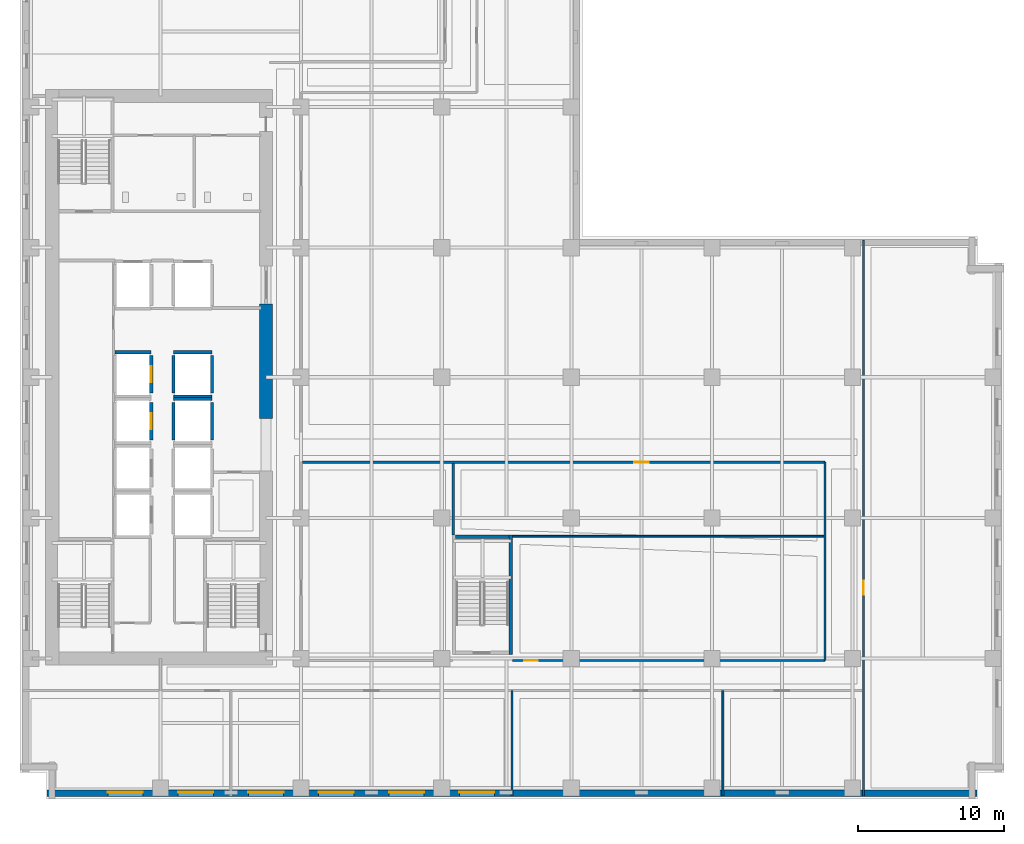
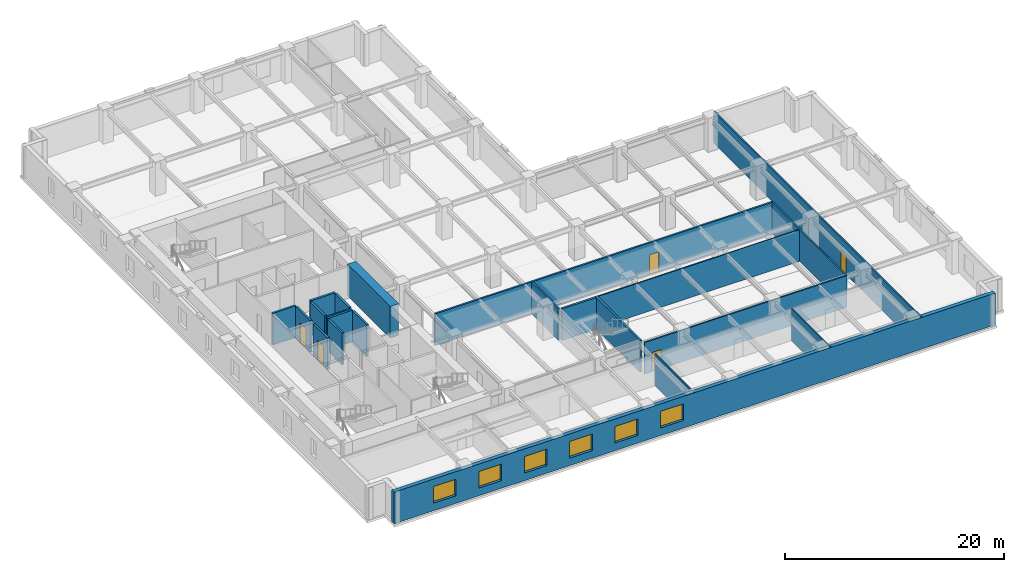
# One storey, part 5 of 13: 22 walls, 6 windows, 5 doors, 11 openings.
"""IFC4 building model written with IfcOpenShell, lengths in metres."""

from ifc_helpers import new_model, si_unit, direction, frame, frame_2d, origin, place, context, subcontext, project, spatial, rectangle, extrude, material, layer, layer_set, type_object, element, fill, save


model = new_model("IFC4")

# Units and contexts
model_context = context("Model", 3, precision=1e-05, world=origin(), true_north=direction((0.0, 1.0)))
body_context = subcontext(model_context, "Body", "Model", "MODEL_VIEW")
ifc_project = project(units=[si_unit("LENGTHUNIT", "METRE"), si_unit("AREAUNIT", "SQUARE_METRE"), si_unit("VOLUMEUNIT", "CUBIC_METRE"), si_unit("PLANEANGLEUNIT", "RADIAN"), si_unit("MASSUNIT", "GRAM", prefix="KILO")], contexts=[model_context])

# Site, building, storey
site_placement = place(None, origin())
site = spatial("IfcSite", under=ifc_project, at=site_placement, CompositionType="ELEMENT")
building_placement = place(site_placement, origin())
building = spatial("IfcBuilding", under=site, at=building_placement, Name="Norrvale University Quadrangle", CompositionType="ELEMENT")
storey_placement = place(building_placement, frame((0.0, 0.0, 77.39990234375)))
storey = spatial("IfcBuildingStorey", under=building, at=storey_placement, Name="L19", CompositionType="ELEMENT", Elevation=77.39990234375)

# Wall, openings, windows
ifc_material_1 = material(Name="Buff Norman Clay Brick Masonry", Category="masonry")
ifc_layer_1 = layer(ifc_material_1, 0.419921875, Name="Buff Norman Clay Brick Masonry")
ifc_layer_set_1 = layer_set([ifc_layer_1], Name="Buff Norman Clay Brick Masonry")
wall_type_1 = type_object("IfcWallType", Name="Wall Buff Brick 420", PredefinedType="SOLIDWALL", material=ifc_layer_set_1)
wall_1_placement = place(storey_placement, frame((1.840087890625, 0.389892578125, 0.0), z_axis=(0.0, 0.0, 1.0), x_axis=(1.0, 0.0, 0.0)))
wall_1 = element("IfcWall", 1, at=wall_1_placement, inside=storey, type_object=wall_type_1, Name="Exterior Brick Facade Wall L19-01.1", PredefinedType="SOLIDWALL", context=body_context, shape_type="SweptSolid", body=[
    extrude(rectangle(XDim=63.52001953125, YDim=0.419921875, at=frame_2d((31.760009765625, 0.0))), origin(), (0.0, 0.0, 1.0), 3.5400390625),
])
opening_1_placement = place(wall_1_placement, frame((4.159912109375, 0.0, 0.85009765625)))
opening_1 = element("IfcOpeningElement", 2, at=opening_1_placement, cuts=wall_1, Name="Opening W02", PredefinedType="OPENING", context=body_context, shape_type="SweptSolid", body=[
    extrude(rectangle(XDim=2.39990234375, YDim=1.85009765625, at=frame_2d((1.199951171875, 0.925048828125))), frame((0.0, 0.221923828125, 0.0), z_axis=(0.0, -1.0, 0.0), x_axis=(1.0, 0.0, 0.0)), (0.0, 0.0, 1.0), 0.44384765625),
])
opening_2_placement = place(wall_1_placement, frame((8.9599609375, 0.0, 0.85009765625)))
opening_2 = element("IfcOpeningElement", 3, at=opening_2_placement, cuts=wall_1, Name="Opening W02", PredefinedType="OPENING", context=body_context, shape_type="SweptSolid", body=[
    extrude(rectangle(XDim=2.39990234375, YDim=1.85009765625, at=frame_2d((1.199951171875, 0.925048828125))), frame((0.0, 0.221923828125, 0.0), z_axis=(0.0, -1.0, 0.0), x_axis=(1.0, 0.0, 0.0)), (0.0, 0.0, 1.0), 0.44384765625),
])
opening_3_placement = place(wall_1_placement, frame((13.760009765625, 0.0, 0.85009765625)))
opening_3 = element("IfcOpeningElement", 4, at=opening_3_placement, cuts=wall_1, Name="Opening W02", PredefinedType="OPENING", context=body_context, shape_type="SweptSolid", body=[
    extrude(rectangle(XDim=2.39990234375, YDim=1.85009765625, at=frame_2d((1.199951171875, 0.925048828125))), frame((0.0, 0.221923828125, 0.0), z_axis=(0.0, -1.0, 0.0), x_axis=(1.0, 0.0, 0.0)), (0.0, 0.0, 1.0), 0.44384765625),
])
opening_4_placement = place(wall_1_placement, frame((18.56005859375, 0.0, 0.85009765625)))
opening_4 = element("IfcOpeningElement", 5, at=opening_4_placement, cuts=wall_1, Name="Opening W02", PredefinedType="OPENING", context=body_context, shape_type="SweptSolid", body=[
    extrude(rectangle(XDim=2.39990234375, YDim=1.85009765625, at=frame_2d((1.199951171875, 0.925048828125))), frame((0.0, 0.221923828125, 0.0), z_axis=(0.0, -1.0, 0.0), x_axis=(1.0, 0.0, 0.0)), (0.0, 0.0, 1.0), 0.44384765625),
])
opening_5_placement = place(wall_1_placement, frame((23.360107421875, 0.0, 0.85009765625)))
opening_5 = element("IfcOpeningElement", 6, at=opening_5_placement, cuts=wall_1, Name="Opening W02", PredefinedType="OPENING", context=body_context, shape_type="SweptSolid", body=[
    extrude(rectangle(XDim=2.39990234375, YDim=1.85009765625, at=frame_2d((1.199951171875, 0.925048828125))), frame((0.0, 0.221923828125, 0.0), z_axis=(0.0, -1.0, 0.0), x_axis=(1.0, 0.0, 0.0)), (0.0, 0.0, 1.0), 0.44384765625),
])
opening_6_placement = place(wall_1_placement, frame((28.159912109375, 0.0, 0.85009765625)))
opening_6 = element("IfcOpeningElement", 7, at=opening_6_placement, cuts=wall_1, Name="Opening W02", PredefinedType="OPENING", context=body_context, shape_type="SweptSolid", body=[
    extrude(rectangle(XDim=2.39990234375, YDim=1.85009765625, at=frame_2d((1.199951171875, 0.925048828125))), frame((0.0, 0.221923828125, 0.0), z_axis=(0.0, -1.0, 0.0), x_axis=(1.0, 0.0, 0.0)), (0.0, 0.0, 1.0), 0.44384765625),
])
ifc_material_2 = material(Name="Triple Low-E Argon Glazing", Category="glass")
window_type = type_object("IfcWindowType", Name="Window Academic 2400x2300", PartitioningType="TRIPLE_PANEL_VERTICAL", PredefinedType="WINDOW", material=ifc_material_2)
window_1_placement = place(opening_1_placement, origin())
window_1 = element("IfcWindow", 8, at=window_1_placement, inside=storey, type_object=window_type, Name="Window Academic 2400x2300 WIN-L19-E01-1-01", OverallHeight=1.85009765625, OverallWidth=2.39990234375, PartitioningType="TRIPLE_PANEL_VERTICAL", PredefinedType="WINDOW", context=body_context, shape_type="SweptSolid", body=[
    extrude(rectangle(XDim=2.39990234375, YDim=1.85009765625, at=frame_2d((1.199951171875, 0.925048828125))), frame((0.0, 0.110107421875, 0.0), z_axis=(0.0, -1.0, 0.0), x_axis=(1.0, 0.0, 0.0)), (0.0, 0.0, 1.0), 0.06005859375),
])
fill(opening_1, window_1)
window_2_placement = place(opening_2_placement, origin())
window_2 = element("IfcWindow", 9, at=window_2_placement, inside=storey, type_object=window_type, Name="Window Academic 2400x2300 WIN-L19-E01-1-02", OverallHeight=1.85009765625, OverallWidth=2.39990234375, PartitioningType="TRIPLE_PANEL_VERTICAL", PredefinedType="WINDOW", context=body_context, shape_type="SweptSolid", body=[
    extrude(rectangle(XDim=2.39990234375, YDim=1.85009765625, at=frame_2d((1.199951171875, 0.925048828125))), frame((0.0, 0.110107421875, 0.0), z_axis=(0.0, -1.0, 0.0), x_axis=(1.0, 0.0, 0.0)), (0.0, 0.0, 1.0), 0.06005859375),
])
fill(opening_2, window_2)
window_3_placement = place(opening_3_placement, origin())
window_3 = element("IfcWindow", 10, at=window_3_placement, inside=storey, type_object=window_type, Name="Window Academic 2400x2300 WIN-L19-E01-1-03", OverallHeight=1.85009765625, OverallWidth=2.39990234375, PartitioningType="TRIPLE_PANEL_VERTICAL", PredefinedType="WINDOW", context=body_context, shape_type="SweptSolid", body=[
    extrude(rectangle(XDim=2.39990234375, YDim=1.85009765625, at=frame_2d((1.199951171875, 0.925048828125))), frame((0.0, 0.110107421875, 0.0), z_axis=(0.0, -1.0, 0.0), x_axis=(1.0, 0.0, 0.0)), (0.0, 0.0, 1.0), 0.06005859375),
])
fill(opening_3, window_3)
window_4_placement = place(opening_4_placement, origin())
window_4 = element("IfcWindow", 11, at=window_4_placement, inside=storey, type_object=window_type, Name="Window Academic 2400x2300 WIN-L19-E01-1-04", OverallHeight=1.85009765625, OverallWidth=2.39990234375, PartitioningType="TRIPLE_PANEL_VERTICAL", PredefinedType="WINDOW", context=body_context, shape_type="SweptSolid", body=[
    extrude(rectangle(XDim=2.39990234375, YDim=1.85009765625, at=frame_2d((1.199951171875, 0.925048828125))), frame((0.0, 0.110107421875, 0.0), z_axis=(0.0, -1.0, 0.0), x_axis=(1.0, 0.0, 0.0)), (0.0, 0.0, 1.0), 0.06005859375),
])
fill(opening_4, window_4)
window_5_placement = place(opening_5_placement, origin())
window_5 = element("IfcWindow", 12, at=window_5_placement, inside=storey, type_object=window_type, Name="Window Academic 2400x2300 WIN-L19-E01-1-05", OverallHeight=1.85009765625, OverallWidth=2.39990234375, PartitioningType="TRIPLE_PANEL_VERTICAL", PredefinedType="WINDOW", context=body_context, shape_type="SweptSolid", body=[
    extrude(rectangle(XDim=2.39990234375, YDim=1.85009765625, at=frame_2d((1.199951171875, 0.925048828125))), frame((0.0, 0.110107421875, 0.0), z_axis=(0.0, -1.0, 0.0), x_axis=(1.0, 0.0, 0.0)), (0.0, 0.0, 1.0), 0.06005859375),
])
fill(opening_5, window_5)
window_6_placement = place(opening_6_placement, origin())
window_6 = element("IfcWindow", 13, at=window_6_placement, inside=storey, type_object=window_type, Name="Window Academic 2400x2300 WIN-L19-E01-1-06", OverallHeight=1.85009765625, OverallWidth=2.39990234375, PartitioningType="TRIPLE_PANEL_VERTICAL", PredefinedType="WINDOW", context=body_context, shape_type="SweptSolid", body=[
    extrude(rectangle(XDim=2.39990234375, YDim=1.85009765625, at=frame_2d((1.199951171875, 0.925048828125))), frame((0.0, 0.110107421875, 0.0), z_axis=(0.0, -1.0, 0.0), x_axis=(1.0, 0.0, 0.0)), (0.0, 0.0, 1.0), 0.06005859375),
])
fill(opening_6, window_6)

# Walls
ifc_material_3 = material(Name="Concrete C80/95", Category="concrete")
ifc_layer_2 = layer(ifc_material_3, 0.89990234375, Name="Concrete C80/95")
ifc_layer_set_2 = layer_set([ifc_layer_2], Name="Concrete C80/95")
wall_type_2 = type_object("IfcWallType", Name="Wall Core 900", PredefinedType="SHEAR", material=ifc_layer_set_2)
wall_2_placement = place(storey_placement, frame((16.800048828125, 26.0, 0.0), z_axis=(0.0, 0.0, 1.0), x_axis=(0.0, 1.0, 0.0)))
element("IfcWall", 14, at=wall_2_placement, inside=storey, type_object=wall_type_2, Name="Tower Core Shear Wall L19-E2", PredefinedType="SHEAR", context=body_context, shape_type="SweptSolid", body=[
    extrude(rectangle(XDim=7.800048828125, YDim=0.89990234375, at=frame_2d((3.89990234375, 0.0))), origin(), (0.0, 0.0, 1.0), 3.5400390625),
])
ifc_material_4 = material(Name="Standard Academic Gypsum Partition")
ifc_layer_3 = layer(ifc_material_4, 0.125, Name="Standard Academic Gypsum Partition")
ifc_layer_set_3 = layer_set([ifc_layer_3], Name="Standard Academic Gypsum Partition")
wall_type_3 = type_object("IfcWallType", Name="Wall Gypsum Academic 125", PredefinedType="PARTITIONING", material=ifc_layer_set_3)
for number, where, z_axis, x_axis, name in (
    (15, (33.60009765625, 0.219970703125, 0.0), (0.0, 0.0, 1.0), (0.0, 1.0, 0.0), "Interior Partition WL-L19-SP02"),
    (16, (48.0, 0.219970703125, 0.0), (0.0, 0.0, 1.0), (0.0, 1.0, 0.0), "Interior Partition WL-L19-SP03"),
):
    element("IfcWall", number, at=place(storey_placement, frame(where, z_axis=z_axis, x_axis=x_axis)), inside=storey, type_object=wall_type_3, Name=name, PredefinedType="PARTITIONING", context=body_context, shape_type="SweptSolid", body=[
        extrude(rectangle(XDim=7.179931640625, YDim=0.125, at=frame_2d((3.58984375, 0.0))), origin(), (0.0, 0.0, 1.0), 3.5400390625),
    ])
wall_3_placement = place(storey_placement, frame((33.6201171875, 17.93994140625, 0.0), z_axis=(0.0, 0.0, 1.0), x_axis=(1.0, 0.0, 0.0)))
element("IfcWall", 17, at=wall_3_placement, inside=storey, type_object=wall_type_3, Name="Interior Partition WL-L19-ISLH", PredefinedType="PARTITIONING", context=body_context, shape_type="SweptSolid", body=[
    extrude(rectangle(XDim=21.35498046875, YDim=0.125, at=frame_2d((10.677490234375, 0.0))), origin(), (0.0, 0.0, 1.0), 3.5400390625),
])

# Wall, opening, door
ifc_material_5 = material(Name="Fire-Rated Gypsum Stud Partition")
ifc_layer_4 = layer(ifc_material_5, 0.14990234375, Name="Fire-Rated Gypsum Stud Partition")
ifc_layer_set_4 = layer_set([ifc_layer_4], Name="Fire-Rated Gypsum Stud Partition")
wall_type_4 = type_object("IfcWallType", Name="Wall Gypsum Corridor 150", PredefinedType="PARTITIONING", material=ifc_layer_set_4)
wall_4_placement = place(storey_placement, frame((57.60009765625, 0.219970703125, 0.0), z_axis=(0.0, 0.0, 1.0), x_axis=(0.0, 1.0, 0.0)))
wall_4 = element("IfcWall", 18, at=wall_4_placement, inside=storey, type_object=wall_type_4, Name="Interior Partition WL-L19-ECW", PredefinedType="PARTITIONING", context=body_context, shape_type="SweptSolid", body=[
    extrude(rectangle(XDim=37.9599609375, YDim=0.14990234375, at=frame_2d((18.97998046875, 0.0))), origin(), (0.0, 0.0, 1.0), 3.5400390625),
])
opening_7_placement = place(wall_4_placement, frame((13.72998046875, 0.0, 0.0)))
opening_7 = element("IfcOpeningElement", 19, at=opening_7_placement, cuts=wall_4, Name="Opening D07", PredefinedType="OPENING", context=body_context, shape_type="SweptSolid", body=[
    extrude(rectangle(XDim=0.949951171875, YDim=2.14990234375, at=frame_2d((0.47509765625, 1.074951171875))), frame((0.0, 0.0869140625, 0.0), z_axis=(0.0, -1.0, 0.0), x_axis=(1.0, 0.0, 0.0)), (0.0, 0.0, 1.0), 0.173828125),
])
ifc_material_6 = material(Name="Solid-Core Maple Door", Category="wood")
door_type_1 = type_object("IfcDoorType", Name="Door Office 950x2150", OperationType="NOTDEFINED", PredefinedType="DOOR", material=ifc_material_6)
door_1_placement = place(opening_7_placement, origin())
door_1 = element("IfcDoor", 20, at=door_1_placement, inside=storey, type_object=door_type_1, Name="Door Office 950x2150 DR-L19-E01", OperationType="SINGLE_SWING_RIGHT", OverallHeight=2.14990234375, OverallWidth=0.949951171875, PredefinedType="DOOR", context=body_context, shape_type="SweptSolid", body=[
    extrude(rectangle(XDim=0.949951171875, YDim=2.14990234375, at=frame_2d((0.47509765625, 1.074951171875))), frame((0.0, 0.02490234375, 0.0), z_axis=(0.0, -1.0, 0.0), x_axis=(1.0, 0.0, 0.0)), (0.0, 0.0, 1.0), 0.050048828125),
])
fill(opening_7, door_1)

wall_5_placement = place(storey_placement, frame((33.6201171875, 9.449951171875, 0.0), z_axis=(0.0, 0.0, 1.0), x_axis=(1.0, 0.0, 0.0)))
wall_5 = element("IfcWall", 21, at=wall_5_placement, inside=storey, type_object=wall_type_4, Name="Interior Partition WL-L19-ISLS2", PredefinedType="PARTITIONING", context=body_context, shape_type="SweptSolid", body=[
    extrude(rectangle(XDim=21.35498046875, YDim=0.14990234375, at=frame_2d((10.677490234375, 0.0))), origin(), (0.0, 0.0, 1.0), 3.5400390625),
])
opening_8_placement = place(wall_5_placement, frame((0.800048828125, 0.0, 0.0)))
opening_8 = element("IfcOpeningElement", 22, at=opening_8_placement, cuts=wall_5, Name="Opening D07", PredefinedType="OPENING", context=body_context, shape_type="SweptSolid", body=[
    extrude(rectangle(XDim=0.949951171875, YDim=2.14990234375, at=frame_2d((0.47509765625, 1.074951171875))), frame((0.0, 0.0869140625, 0.0), z_axis=(0.0, -1.0, 0.0), x_axis=(1.0, 0.0, 0.0)), (0.0, 0.0, 1.0), 0.173828125),
])
door_2_placement = place(opening_8_placement, origin())
door_2 = element("IfcDoor", 23, at=door_2_placement, inside=storey, type_object=door_type_1, Name="Door Office 950x2150 DR-L19-ISE", OperationType="SINGLE_SWING_LEFT", OverallHeight=2.14990234375, OverallWidth=0.949951171875, PredefinedType="DOOR", context=body_context, shape_type="SweptSolid", body=[
    extrude(rectangle(XDim=0.949951171875, YDim=2.14990234375, at=frame_2d((0.47509765625, 1.074951171875))), frame((0.0, 0.02490234375, 0.0), z_axis=(0.0, -1.0, 0.0), x_axis=(1.0, 0.0, 0.0)), (0.0, 0.0, 1.0), 0.050048828125),
])
fill(opening_8, door_2)

# Walls
wall_6_placement = place(storey_placement, frame((54.97509765625, 9.449951171875, 0.0), z_axis=(0.0, 0.0, 1.0), x_axis=(0.0, 1.0, 0.0)))
element("IfcWall", 24, at=wall_6_placement, inside=storey, type_object=wall_type_4, Name="Interior Partition WL-L19-ISLE", PredefinedType="PARTITIONING", context=body_context, shape_type="SweptSolid", body=[
    extrude(rectangle(XDim=13.550048828125, YDim=0.14990234375, at=frame_2d((6.77490234375, 0.0))), origin(), (0.0, 0.0, 1.0), 3.5400390625),
])
ifc_material_7 = material(Name="Acoustic Double-Stud Gypsum Partition")
ifc_layer_5 = layer(ifc_material_7, 0.179931640625, Name="Acoustic Double-Stud Gypsum Partition")
ifc_layer_set_5 = layer_set([ifc_layer_5], Name="Acoustic Double-Stud Gypsum Partition")
wall_type_5 = type_object("IfcWallType", Name="Wall Gypsum Lecture 180", PredefinedType="PARTITIONING", material=ifc_layer_set_5)
wall_7_placement = place(storey_placement, frame((29.580078125, 18.02490234375, 0.0), z_axis=(0.0, 0.0, 1.0), x_axis=(0.0, 1.0, 0.0)))
element("IfcWall", 25, at=wall_7_placement, inside=storey, type_object=wall_type_5, Name="Interior Partition WL-L19-ISLD", PredefinedType="PARTITIONING", context=body_context, shape_type="SweptSolid", body=[
    extrude(rectangle(XDim=4.880126953125, YDim=0.179931640625, at=frame_2d((2.43994140625, 0.0))), origin(), (0.0, 0.0, 1.0), 3.5400390625),
])

# Wall, opening, door
wall_8_placement = place(storey_placement, frame((19.280029296875, 23.0, 0.0), z_axis=(0.0, 0.0, 1.0), x_axis=(1.0, 0.0, 0.0)))
wall_8 = element("IfcWall", 26, at=wall_8_placement, inside=storey, type_object=wall_type_5, Name="Interior Partition WL-L19-ISLN", PredefinedType="PARTITIONING", context=body_context, shape_type="SweptSolid", body=[
    extrude(rectangle(XDim=35.695068359375, YDim=0.179931640625, at=frame_2d((17.84765625, 0.0))), origin(), (0.0, 0.0, 1.0), 3.5400390625),
])
opening_9_placement = place(wall_8_placement, frame((22.669921875, 0.0, 0.0)))
opening_9 = element("IfcOpeningElement", 27, at=opening_9_placement, cuts=wall_8, Name="Opening D04", PredefinedType="OPENING", context=body_context, shape_type="SweptSolid", body=[
    extrude(rectangle(XDim=1.0, YDim=2.199951171875, at=frame_2d((0.5, 1.10009765625))), frame((0.0, 0.10205078125, 0.0), z_axis=(0.0, -1.0, 0.0), x_axis=(1.0, 0.0, 0.0)), (0.0, 0.0, 1.0), 0.203857421875),
])
ifc_material_8 = material(Name="Solid-Core Oak Fire Door", Category="wood")
door_type_2 = type_object("IfcDoorType", Name="Door Corridor 1000x2200", OperationType="NOTDEFINED", PredefinedType="DOOR", material=ifc_material_8)
door_3_placement = place(opening_9_placement, origin())
door_3 = element("IfcDoor", 28, at=door_3_placement, inside=storey, type_object=door_type_2, Name="Door Corridor 1000x2200 DR-L19-ILH", OperationType="SINGLE_SWING_RIGHT", OverallHeight=2.199951171875, OverallWidth=1.0, PredefinedType="DOOR", context=body_context, shape_type="SweptSolid", body=[
    extrude(rectangle(XDim=1.0, YDim=2.199951171875, at=frame_2d((0.5, 1.10009765625))), frame((0.0, 0.02490234375, 0.0), z_axis=(0.0, -1.0, 0.0), x_axis=(1.0, 0.0, 0.0)), (0.0, 0.0, 1.0), 0.050048828125),
])
fill(opening_9, door_3)

# Walls
ifc_material_9 = material(Name="Concrete Blockwork 20 MPa Fire Shaft", Category="masonry")
ifc_layer_6 = layer(ifc_material_9, 0.219970703125, Name="Concrete Blockwork 20 MPa Fire Shaft")
ifc_layer_set_6 = layer_set([ifc_layer_6], Name="Concrete Blockwork 20 MPa Fire Shaft")
wall_type_6 = type_object("IfcWallType", Name="Wall Shaft 220", PredefinedType="SOLIDWALL", material=ifc_layer_set_6)
wall_9_placement = place(storey_placement, frame((33.510009765625, 9.8798828125, 0.0), z_axis=(0.0, 0.0, 1.0), x_axis=(0.0, 1.0, 0.0)))
element("IfcWall", 29, at=wall_9_placement, inside=storey, type_object=wall_type_6, Name="Stair ST-04 East Shaft Wall L19", PredefinedType="SOLIDWALL", context=body_context, shape_type="SweptSolid", body=[
    extrude(rectangle(XDim=8.14013671875, YDim=0.219970703125, at=frame_2d((4.070068359375, 0.0))), origin(), (0.0, 0.0, 1.0), 3.5400390625),
])
wall_10_placement = place(storey_placement, frame((29.75, 17.909912109375, 0.0), z_axis=(0.0, 0.0, 1.0), x_axis=(1.0, 0.0, 0.0)))
element("IfcWall", 30, at=wall_10_placement, inside=storey, type_object=wall_type_6, Name="Stair ST-04 North Shaft Wall L19", PredefinedType="SOLIDWALL", context=body_context, shape_type="SweptSolid", body=[
    extrude(rectangle(XDim=3.64990234375, YDim=0.219970703125, at=frame_2d((1.824951171875, 0.0))), origin(), (0.0, 0.0, 1.0), 3.5400390625),
])

# Wall, opening, door
wall_11_placement = place(storey_placement, frame((8.9599609375, 24.510009765625, 0.0), z_axis=(0.0, 0.0, 1.0), x_axis=(0.0, 1.0, 0.0)))
wall_11 = element("IfcWall", 31, at=wall_11_placement, inside=storey, type_object=wall_type_6, Name="Hoistway PL-03 East Wall L19", PredefinedType="SOLIDWALL", context=body_context, shape_type="SweptSolid", body=[
    extrude(rectangle(XDim=2.580078125, YDim=0.219970703125, at=frame_2d((1.2900390625, 0.0))), origin(), (0.0, 0.0, 1.0), 3.5400390625),
])
opening_10_placement = place(wall_11_placement, frame((0.739990234375, 0.0, 0.0)))
opening_10 = element("IfcOpeningElement", 32, at=opening_10_placement, cuts=wall_11, Name="Opening LD1", PredefinedType="OPENING", context=body_context, shape_type="SweptSolid", body=[
    extrude(rectangle(XDim=1.10009765625, YDim=2.199951171875, at=frame_2d((0.550048828125, 1.10009765625))), frame((0.0, 0.1220703125, 0.0), z_axis=(0.0, -1.0, 0.0), x_axis=(1.0, 0.0, 0.0)), (0.0, 0.0, 1.0), 0.243896484375),
])
ifc_material_10 = material(Name="Stainless Steel 316L Lift Landing Door", Category="steel")
door_type_3 = type_object("IfcDoorType", Name="Door Lift Landing 1100x2200", OperationType="DOUBLE_DOOR_SLIDING", PredefinedType="DOOR", material=ifc_material_10)
door_4_placement = place(opening_10_placement, origin())
door_4 = element("IfcDoor", 33, at=door_4_placement, inside=storey, type_object=door_type_3, Name="Elevator Landing Door DR-L19-PL-03", OperationType="DOUBLE_DOOR_SLIDING", OverallHeight=2.199951171875, OverallWidth=1.10009765625, PredefinedType="DOOR", context=body_context, shape_type="SweptSolid", body=[
    extrude(rectangle(XDim=1.10009765625, YDim=2.199951171875, at=frame_2d((0.550048828125, 1.10009765625))), frame((0.0, 0.02490234375, 0.0), z_axis=(0.0, -1.0, 0.0), x_axis=(1.0, 0.0, 0.0)), (0.0, 0.0, 1.0), 0.050048828125),
])
fill(opening_10, door_4)

wall_12_placement = place(storey_placement, frame((8.9599609375, 27.7099609375, 0.0), z_axis=(0.0, 0.0, 1.0), x_axis=(0.0, 1.0, 0.0)))
wall_12 = element("IfcWall", 34, at=wall_12_placement, inside=storey, type_object=wall_type_6, Name="Hoistway PL-04 East Wall L19", PredefinedType="SOLIDWALL", context=body_context, shape_type="SweptSolid", body=[
    extrude(rectangle(XDim=2.580078125, YDim=0.219970703125, at=frame_2d((1.2900390625, 0.0))), origin(), (0.0, 0.0, 1.0), 3.5400390625),
])
opening_11_placement = place(wall_12_placement, frame((0.739990234375, 0.0, 0.0)))
opening_11 = element("IfcOpeningElement", 35, at=opening_11_placement, cuts=wall_12, Name="Opening LD1", PredefinedType="OPENING", context=body_context, shape_type="SweptSolid", body=[
    extrude(rectangle(XDim=1.10009765625, YDim=2.199951171875, at=frame_2d((0.550048828125, 1.10009765625))), frame((0.0, 0.1220703125, 0.0), z_axis=(0.0, -1.0, 0.0), x_axis=(1.0, 0.0, 0.0)), (0.0, 0.0, 1.0), 0.243896484375),
])
door_5_placement = place(opening_11_placement, origin())
door_5 = element("IfcDoor", 36, at=door_5_placement, inside=storey, type_object=door_type_3, Name="Elevator Landing Door DR-L19-PL-04", OperationType="DOUBLE_DOOR_SLIDING", OverallHeight=2.199951171875, OverallWidth=1.10009765625, PredefinedType="DOOR", context=body_context, shape_type="SweptSolid", body=[
    extrude(rectangle(XDim=1.10009765625, YDim=2.199951171875, at=frame_2d((0.550048828125, 1.10009765625))), frame((0.0, 0.02490234375, 0.0), z_axis=(0.0, -1.0, 0.0), x_axis=(1.0, 0.0, 0.0)), (0.0, 0.0, 1.0), 0.050048828125),
])
fill(opening_11, door_5)

# Walls
wall_13_placement = place(storey_placement, frame((6.489990234375, 30.510009765625, 0.0), z_axis=(0.0, 0.0, 1.0), x_axis=(1.0, 0.0, 0.0)))
element("IfcWall", 37, at=wall_13_placement, inside=storey, type_object=wall_type_6, Name="Hoistway PL-04 North Wall L19", PredefinedType="SOLIDWALL", context=body_context, shape_type="SweptSolid", body=[
    extrude(rectangle(XDim=2.469970703125, YDim=0.219970703125, at=frame_2d((1.23486328125, 0.0))), origin(), (0.0, 0.0, 1.0), 3.5400390625),
])
for number, where, z_axis, x_axis, name in (
    (38, (10.489990234375, 24.510009765625, 0.0), (0.0, 0.0, 1.0), (0.0, 1.0, 0.0), "Hoistway PL-07 West Wall L19"),
    (39, (13.110107421875, 24.510009765625, 0.0), (0.0, 0.0, 1.0), (0.0, 1.0, 0.0), "Hoistway PL-07 East Wall L19"),
):
    element("IfcWall", number, at=place(storey_placement, frame(where, z_axis=z_axis, x_axis=x_axis)), inside=storey, type_object=wall_type_6, Name=name, PredefinedType="SOLIDWALL", context=body_context, shape_type="SweptSolid", body=[
        extrude(rectangle(XDim=2.580078125, YDim=0.219970703125, at=frame_2d((1.2900390625, 0.0))), origin(), (0.0, 0.0, 1.0), 3.5400390625),
    ])
wall_14_placement = place(storey_placement, frame((10.489990234375, 27.31005859375, 0.0), z_axis=(0.0, 0.0, 1.0), x_axis=(1.0, 0.0, 0.0)))
element("IfcWall", 40, at=wall_14_placement, inside=storey, type_object=wall_type_6, Name="Hoistway PL-07 North Wall L19", PredefinedType="SOLIDWALL", context=body_context, shape_type="SweptSolid", body=[
    extrude(rectangle(XDim=2.6201171875, YDim=0.219970703125, at=frame_2d((1.31005859375, 0.0))), origin(), (0.0, 0.0, 1.0), 3.5400390625),
])
for number, where, z_axis, x_axis, name in (
    (41, (10.489990234375, 27.7099609375, 0.0), (0.0, 0.0, 1.0), (0.0, 1.0, 0.0), "Hoistway PL-08 West Wall L19"),
    (42, (13.110107421875, 27.7099609375, 0.0), (0.0, 0.0, 1.0), (0.0, 1.0, 0.0), "Hoistway PL-08 East Wall L19"),
):
    element("IfcWall", number, at=place(storey_placement, frame(where, z_axis=z_axis, x_axis=x_axis)), inside=storey, type_object=wall_type_6, Name=name, PredefinedType="SOLIDWALL", context=body_context, shape_type="SweptSolid", body=[
        extrude(rectangle(XDim=2.580078125, YDim=0.219970703125, at=frame_2d((1.2900390625, 0.0))), origin(), (0.0, 0.0, 1.0), 3.5400390625),
    ])
for number, where, z_axis, x_axis, name in (
    (43, (10.489990234375, 27.489990234375, 0.0), (0.0, 0.0, 1.0), (1.0, 0.0, 0.0), "Hoistway PL-08 South Wall L19"),
    (44, (10.489990234375, 30.510009765625, 0.0), (0.0, 0.0, 1.0), (1.0, 0.0, 0.0), "Hoistway PL-08 North Wall L19"),
):
    element("IfcWall", number, at=place(storey_placement, frame(where, z_axis=z_axis, x_axis=x_axis)), inside=storey, type_object=wall_type_6, Name=name, PredefinedType="SOLIDWALL", context=body_context, shape_type="SweptSolid", body=[
        extrude(rectangle(XDim=2.6201171875, YDim=0.219970703125, at=frame_2d((1.31005859375, 0.0))), origin(), (0.0, 0.0, 1.0), 3.5400390625),
    ])

save(model, "model.ifc")
